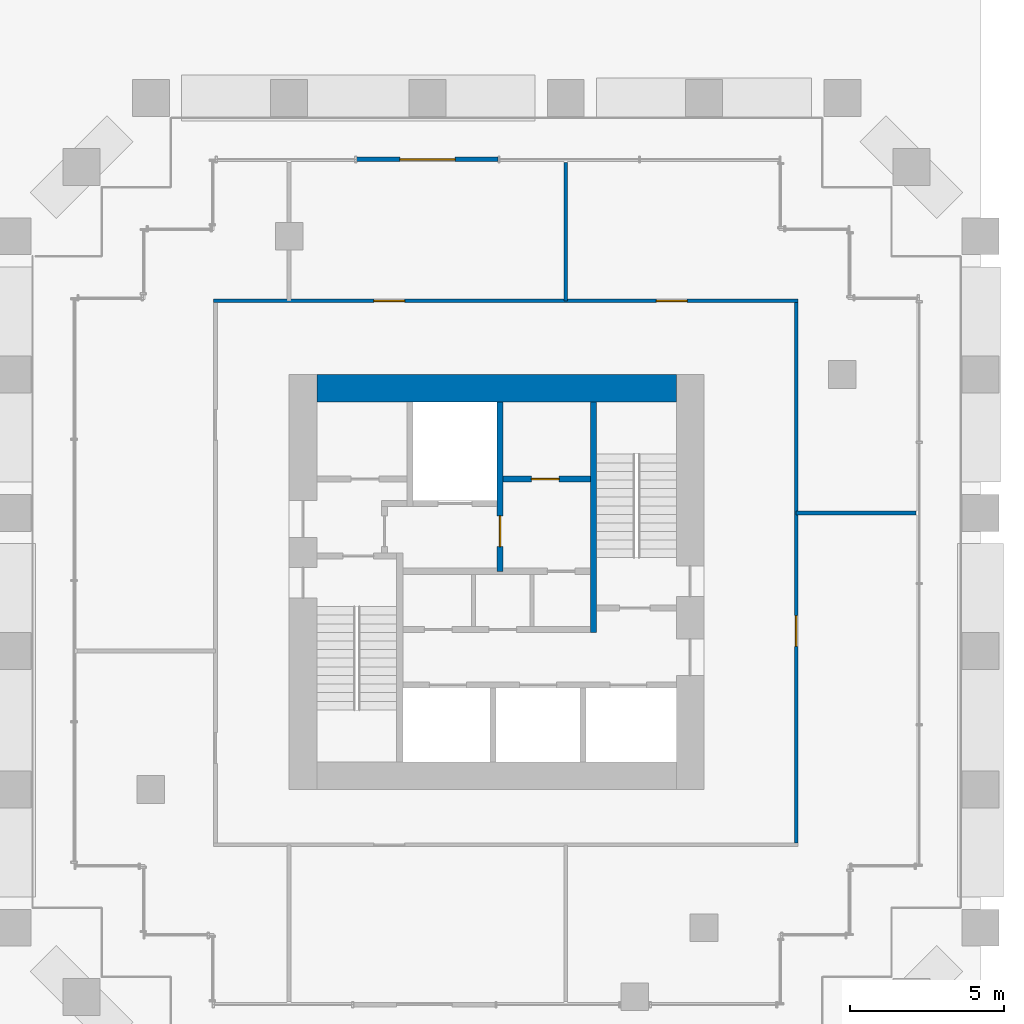
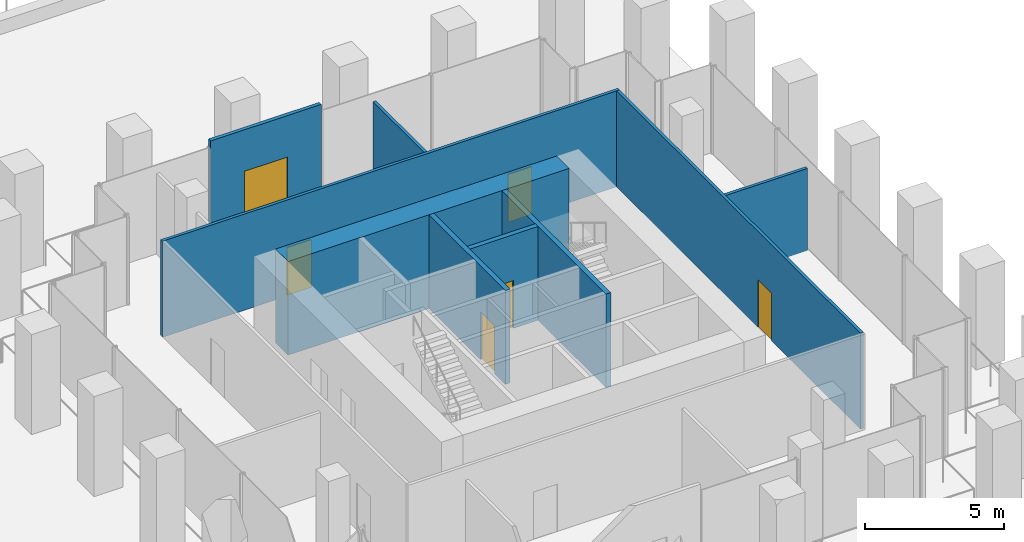
# One storey, part 29 of 32: 9 walls, 6 doors, 6 openings.
"""IFC4 building model written with IfcOpenShell, lengths in metres."""

from ifc_helpers import new_model, si_unit, direction, frame, frame_2d, origin, place, context, subcontext, project, spatial, rectangle, extrude, material, layer, layer_set, type_object, element, fill, save


model = new_model("IFC4")

# Units and contexts
model_context = context("Model", 3, precision=1e-05, world=origin(), true_north=direction((0.0, 1.0)))
body_context = subcontext(model_context, "Body", "Model", "MODEL_VIEW")
ifc_project = project(units=[si_unit("LENGTHUNIT", "METRE"), si_unit("AREAUNIT", "SQUARE_METRE"), si_unit("VOLUMEUNIT", "CUBIC_METRE"), si_unit("PLANEANGLEUNIT", "RADIAN"), si_unit("MASSUNIT", "GRAM", prefix="KILO")], contexts=[model_context])

# Site, building, storey
site_placement = place(None, origin())
site = spatial("IfcSite", under=ifc_project, at=site_placement, CompositionType="ELEMENT")
building_placement = place(site_placement, origin())
building = spatial("IfcBuilding", under=site, at=building_placement, Name="Altepetl Exchange Towers", CompositionType="ELEMENT")
storey_placement = place(building_placement, frame((0.0, 0.0, 21.0)))
storey = spatial("IfcBuildingStorey", under=building, at=storey_placement, Name="L04", CompositionType="ELEMENT", Elevation=21.0)

# Wall
ifc_material_1 = material(Name="Concrete C70/85", Category="concrete")
ifc_layer_1 = layer(ifc_material_1, 0.89990234375)
ifc_layer_set_1 = layer_set([ifc_layer_1], Name="Concrete C70/85")
wall_type_1 = type_object("IfcWallType", Name="Core wall 900 reinforced concrete", PredefinedType="SHEAR", material=ifc_layer_set_1)
wall_1_placement = place(storey_placement, frame((104.39990234375, 49.050048828125, 0.0)))
element("IfcWall", 1, at=wall_1_placement, inside=storey, type_object=wall_type_1, Name="wall:B:L04:K-coreN", PredefinedType="SHEAR", context=body_context, shape_type="SweptSolid", body=[
    extrude(rectangle(XDim=11.7001953125, YDim=0.89990234375, at=frame_2d((5.85009765625, 0.0))), origin(), (0.0, 0.0, 1.0), 4.125),
])

# Wall, opening, door
ifc_material_2 = material(Name="Aluminium composite cladding", Category="aluminium")
ifc_layer_2 = layer(ifc_material_2, 0.14990234375)
ifc_layer_set_2 = layer_set([ifc_layer_2], Name="Aluminium composite cladding")
wall_type_2 = type_object("IfcWallType", Name="Infill wall 150 aluminium panel", PredefinedType="SOLIDWALL", material=ifc_layer_set_2)
wall_2_placement = place(storey_placement, frame((110.300048828125, 56.5, 0.0), z_axis=(0.0, 0.0, 1.0), x_axis=(-1.0, 0.0, 0.0)))
wall_2 = element("IfcWall", 2, at=wall_2_placement, inside=storey, type_object=wall_type_2, Name="Terrace door bay wall", PredefinedType="SOLIDWALL", context=body_context, shape_type="SweptSolid", body=[
    extrude(rectangle(XDim=4.60009765625, YDim=0.14990234375, at=frame_2d((2.300048828125, 0.0))), origin(), (0.0, 0.0, 1.0), 4.22509765625),
])
opening_1_placement = place(wall_2_placement, frame((1.39990234375, 0.0, 0.0)))
opening_1 = element("IfcOpeningElement", 3, at=opening_1_placement, cuts=wall_2, Name="Opening L04.B92", PredefinedType="OPENING", context=body_context, shape_type="SweptSolid", body=[
    extrude(rectangle(XDim=1.800048828125, YDim=2.39990234375, at=frame_2d((0.89990234375, 1.199951171875))), frame((0.0, 0.0849609375, 0.0), z_axis=(0.0, -1.0, 0.0), x_axis=(1.0, 0.0, 0.0)), (0.0, 0.0, 1.0), 0.169921875),
])
ifc_material_3 = material(Name="Aluminium 6063-T6 and glass", Category="aluminium")
door_type_1 = type_object("IfcDoorType", Name="Glazed door pair 1800x2400", OperationType="DOUBLE_DOOR_DOUBLE_SWING", PredefinedType="NOTDEFINED", material=ifc_material_3)
door_1_placement = place(opening_1_placement, frame((1.800048828125, 0.0, 0.0), x_axis=(-1.0, 0.0, 0.0)))
door_1 = element("IfcDoor", 4, at=door_1_placement, inside=storey, type_object=door_type_1, Name="Terrace door", OperationType="DOUBLE_DOOR_DOUBLE_SWING", OverallHeight=2.39990234375, OverallWidth=1.800048828125, PredefinedType="NOTDEFINED", context=body_context, shape_type="SweptSolid", body=[
    extrude(rectangle(XDim=1.800048828125, YDim=2.39990234375, at=frame_2d((0.89990234375, 1.199951171875))), frame((0.0, 0.02490234375, 0.0), z_axis=(0.0, -1.0, 0.0), x_axis=(1.0, 0.0, 0.0)), (0.0, 0.0, 1.0), 0.050048828125),
])
fill(opening_1, door_1)

# Wall
ifc_material_4 = material(Name="Gypsum board on steel studs", Category="steel")
ifc_layer_3 = layer(ifc_material_4, 0.125)
ifc_layer_set_3 = layer_set([ifc_layer_3], Name="Gypsum board on steel studs")
wall_type_3 = type_object("IfcWallType", Name="Partition 125 gypsum board on steel studs", PredefinedType="PARTITIONING", material=ifc_layer_set_3)
wall_3_placement = place(storey_placement, frame((120.0, 45.0, 0.0)))
element("IfcWall", 5, at=wall_3_placement, inside=storey, type_object=wall_type_3, Name="wall:B:L04:P03", PredefinedType="PARTITIONING", context=body_context, shape_type="SweptSolid", body=[
    extrude(rectangle(XDim=3.89990234375, YDim=0.125, at=frame_2d((1.949951171875, 0.0))), origin(), (0.0, 0.0, 1.0), 3.613037109375),
])

# Wall, openings, doors
wall_4_placement = place(storey_placement, frame((101.03759765625, 51.89990234375, 0.0)))
wall_4 = element("IfcWall", 6, at=wall_4_placement, inside=storey, type_object=wall_type_3, Name="wall:B:L04:P04", PredefinedType="PARTITIONING", context=body_context, shape_type="SweptSolid", body=[
    extrude(rectangle(XDim=19.02490234375, YDim=0.125, at=frame_2d((9.512451171875, 0.0))), origin(), (0.0, 0.0, 1.0), 4.22509765625),
])
opening_2_placement = place(wall_4_placement, frame((14.41259765625, 0.0, 0.0)))
opening_2 = element("IfcOpeningElement", 7, at=opening_2_placement, cuts=wall_4, Name="Opening L04.B04", PredefinedType="OPENING", context=body_context, shape_type="SweptSolid", body=[
    extrude(rectangle(XDim=1.0, YDim=2.10009765625, at=frame_2d((0.5, 1.050048828125))), frame((0.0, 0.072509765625, 0.0), z_axis=(0.0, -1.0, 0.0), x_axis=(1.0, 0.0, 0.0)), (0.0, 0.0, 1.0), 0.14501953125),
])
opening_3_placement = place(wall_4_placement, frame((5.219482421875, 0.0, 0.0)))
opening_3 = element("IfcOpeningElement", 8, at=opening_3_placement, cuts=wall_4, Name="Opening L04.B05", PredefinedType="OPENING", context=body_context, shape_type="SweptSolid", body=[
    extrude(rectangle(XDim=1.0, YDim=2.10009765625, at=frame_2d((0.5, 1.050048828125))), frame((0.0, 0.072509765625, 0.0), z_axis=(0.0, -1.0, 0.0), x_axis=(1.0, 0.0, 0.0)), (0.0, 0.0, 1.0), 0.14501953125),
])
ifc_material_5 = material(Name="Steel and timber fire door", Category="steel")
door_type_2 = type_object("IfcDoorType", Name="Fire door 1000 x 2100 single leaf", OperationType="SINGLE_SWING_LEFT", PredefinedType="DOOR", material=ifc_material_5)
door_2_placement = place(opening_2_placement, frame((1.0, 0.0, 0.0), x_axis=(-1.0, 0.0, 0.0)))
door_2 = element("IfcDoor", 9, at=door_2_placement, inside=storey, type_object=door_type_2, Name="door:B:L04:04", OperationType="SINGLE_SWING_RIGHT", OverallHeight=2.10009765625, OverallWidth=1.0, PredefinedType="DOOR", context=body_context, shape_type="SweptSolid", body=[
    extrude(rectangle(XDim=1.0, YDim=2.10009765625, at=frame_2d((0.5, 1.050048828125))), frame((0.0, 0.02490234375, 0.0), z_axis=(0.0, -1.0, 0.0), x_axis=(1.0, 0.0, 0.0)), (0.0, 0.0, 1.0), 0.050048828125),
])
fill(opening_2, door_2)
door_3_placement = place(opening_3_placement, origin())
door_3 = element("IfcDoor", 10, at=door_3_placement, inside=storey, type_object=door_type_2, Name="door:B:L04:05", OperationType="SINGLE_SWING_LEFT", OverallHeight=2.10009765625, OverallWidth=1.0, PredefinedType="DOOR", context=body_context, shape_type="SweptSolid", body=[
    extrude(rectangle(XDim=1.0, YDim=2.10009765625, at=frame_2d((0.5, 1.050048828125))), frame((0.0, 0.02490234375, 0.0), z_axis=(0.0, -1.0, 0.0), x_axis=(1.0, 0.0, 0.0)), (0.0, 0.0, 1.0), 0.050048828125),
])
fill(opening_3, door_3)

# Wall
wall_5_placement = place(storey_placement, frame((112.5, 51.89990234375, 0.0), z_axis=(0.0, 0.0, 1.0), x_axis=(0.0, 1.0, 0.0)))
element("IfcWall", 11, at=wall_5_placement, inside=storey, type_object=wall_type_3, Name="wall:B:L04:P10", PredefinedType="PARTITIONING", context=body_context, shape_type="SweptSolid", body=[
    extrude(rectangle(XDim=4.5, YDim=0.125, at=frame_2d((2.25, 0.0))), origin(), (0.0, 0.0, 1.0), 3.613037109375),
])

# Wall, opening, door
wall_6_placement = place(storey_placement, frame((120.0, 34.262451171875, 0.0), z_axis=(0.0, 0.0, 1.0), x_axis=(0.0, 1.0, 0.0)))
wall_6 = element("IfcWall", 12, at=wall_6_placement, inside=storey, type_object=wall_type_3, Name="wall:B:L04:P11", PredefinedType="PARTITIONING", context=body_context, shape_type="SweptSolid", body=[
    extrude(rectangle(XDim=17.574951171875, YDim=0.125, at=frame_2d((8.78759765625, 0.0))), origin(), (0.0, 0.0, 1.0), 4.22509765625),
])
opening_4_placement = place(wall_6_placement, frame((6.39453125, 0.0, 0.0)))
opening_4 = element("IfcOpeningElement", 13, at=opening_4_placement, cuts=wall_6, Name="Opening L04.B03", PredefinedType="OPENING", context=body_context, shape_type="SweptSolid", body=[
    extrude(rectangle(XDim=1.0, YDim=2.10009765625, at=frame_2d((0.5, 1.050048828125))), frame((0.0, 0.072509765625, 0.0), z_axis=(0.0, -1.0, 0.0), x_axis=(1.0, 0.0, 0.0)), (0.0, 0.0, 1.0), 0.14501953125),
])
door_4_placement = place(opening_4_placement, frame((1.0, 0.0, 0.0), x_axis=(-1.0, 0.0, 0.0)))
door_4 = element("IfcDoor", 14, at=door_4_placement, inside=storey, type_object=door_type_2, Name="door:B:L04:03", OperationType="SINGLE_SWING_LEFT", OverallHeight=2.10009765625, OverallWidth=1.0, PredefinedType="DOOR", context=body_context, shape_type="SweptSolid", body=[
    extrude(rectangle(XDim=1.0, YDim=2.10009765625, at=frame_2d((0.5, 1.050048828125))), frame((0.0, 0.02490234375, 0.0), z_axis=(0.0, -1.0, 0.0), x_axis=(1.0, 0.0, 0.0)), (0.0, 0.0, 1.0), 0.050048828125),
])
fill(opening_4, door_4)

ifc_material_6 = material(Name="Concrete C40/50", Category="concrete")
ifc_layer_4 = layer(ifc_material_6, 0.199951171875)
ifc_layer_set_4 = layer_set([ifc_layer_4], Name="Concrete C40/50")
wall_type_4 = type_object("IfcWallType", Name="Shaft wall 200 reinforced concrete", PredefinedType="SHEAR", material=ifc_layer_set_4)
wall_7_placement = place(storey_placement, frame((110.36669921875, 48.60009765625, 0.0), z_axis=(0.0, 0.0, 1.0), x_axis=(0.0, -1.0, 0.0)))
wall_7 = element("IfcWall", 15, at=wall_7_placement, inside=storey, type_object=wall_type_4, Name="wall:B:L04:K-divN2", PredefinedType="SHEAR", context=body_context, shape_type="SweptSolid", body=[
    extrude(rectangle(XDim=5.5, YDim=0.199951171875, at=frame_2d((2.75, 0.0))), origin(), (0.0, 0.0, 1.0), 4.125),
])
opening_5_placement = place(wall_7_placement, frame((3.699951171875, 0.0, 0.0)))
opening_5 = element("IfcOpeningElement", 16, at=opening_5_placement, cuts=wall_7, Name="Opening L04.B66", PredefinedType="OPENING", context=body_context, shape_type="SweptSolid", body=[
    extrude(rectangle(XDim=1.0, YDim=2.10009765625, at=frame_2d((0.5, 1.050048828125))), frame((0.0, 0.10986328125, 0.0), z_axis=(0.0, -1.0, 0.0), x_axis=(1.0, 0.0, 0.0)), (0.0, 0.0, 1.0), 0.219970703125),
])
door_type_3 = type_object("IfcDoorType", Name="Fire door 1000 x 2100 stair and lobby", OperationType="SINGLE_SWING_LEFT", PredefinedType="DOOR", material=ifc_material_5)
door_5_placement = place(opening_5_placement, frame((1.0, 0.0, 0.0), x_axis=(-1.0, 0.0, 0.0)))
door_5 = element("IfcDoor", 17, at=door_5_placement, inside=storey, type_object=door_type_3, Name="door:B:L04:K-dffE", OperationType="SINGLE_SWING_RIGHT", OverallHeight=2.10009765625, OverallWidth=1.0, PredefinedType="DOOR", context=body_context, shape_type="SweptSolid", body=[
    extrude(rectangle(XDim=1.0, YDim=2.10009765625, at=frame_2d((0.5, 1.050048828125))), frame((0.0, 0.02490234375, 0.0), z_axis=(0.0, -1.0, 0.0), x_axis=(1.0, 0.0, 0.0)), (0.0, 0.0, 1.0), 0.050048828125),
])
fill(opening_5, door_5)

wall_8_placement = place(storey_placement, frame((110.466796875, 46.10009765625, 0.0)))
wall_8 = element("IfcWall", 18, at=wall_8_placement, inside=storey, type_object=wall_type_4, Name="wall:B:L04:K-frontNb", PredefinedType="SHEAR", context=body_context, shape_type="SweptSolid", body=[
    extrude(rectangle(XDim=2.833251953125, YDim=0.199951171875, at=frame_2d((1.41650390625, 0.0))), origin(), (0.0, 0.0, 1.0), 4.125),
])
opening_6_placement = place(wall_8_placement, frame((0.91650390625, 0.0, 0.0)))
opening_6 = element("IfcOpeningElement", 19, at=opening_6_placement, cuts=wall_8, Name="Opening L04.B69", PredefinedType="OPENING", context=body_context, shape_type="SweptSolid", body=[
    extrude(rectangle(XDim=0.89990234375, YDim=2.10009765625, at=frame_2d((0.449951171875, 1.050048828125))), frame((0.0, 0.10986328125, 0.0), z_axis=(0.0, -1.0, 0.0), x_axis=(1.0, 0.0, 0.0)), (0.0, 0.0, 1.0), 0.219970703125),
])
door_type_4 = type_object("IfcDoorType", Name="Fire door 900 x 2100 service room", OperationType="SINGLE_SWING_LEFT", PredefinedType="DOOR", material=ifc_material_5)
door_6_placement = place(opening_6_placement, origin())
door_6 = element("IfcDoor", 20, at=door_6_placement, inside=storey, type_object=door_type_4, Name="door:B:L04:K-dslotN2", OperationType="SINGLE_SWING_RIGHT", OverallHeight=2.10009765625, OverallWidth=0.89990234375, PredefinedType="DOOR", context=body_context, shape_type="SweptSolid", body=[
    extrude(rectangle(XDim=0.89990234375, YDim=2.10009765625, at=frame_2d((0.449951171875, 1.050048828125))), frame((0.0, 0.02490234375, 0.0), z_axis=(0.0, -1.0, 0.0), x_axis=(1.0, 0.0, 0.0)), (0.0, 0.0, 1.0), 0.050048828125),
])
fill(opening_6, door_6)

# Wall
ifc_layer_5 = layer(ifc_material_6, 0.199951171875)
ifc_layer_set_5 = layer_set([ifc_layer_5], Name="Concrete C40/50")
wall_type_5 = type_object("IfcWallType", Name="Stair wall 200 reinforced concrete", PredefinedType="SHEAR", material=ifc_layer_set_5)
wall_9_placement = place(storey_placement, frame((113.39990234375, 41.10009765625, 0.0), z_axis=(0.0, 0.0, 1.0), x_axis=(0.0, 1.0, 0.0)))
element("IfcWall", 21, at=wall_9_placement, inside=storey, type_object=wall_type_5, Name="wall:B:L04:K-stS2W", PredefinedType="SHEAR", context=body_context, shape_type="SweptSolid", body=[
    extrude(rectangle(XDim=7.5, YDim=0.199951171875, at=frame_2d((3.75, 0.0))), origin(), (0.0, 0.0, 1.0), 4.125),
])

save(model, "model.ifc")
